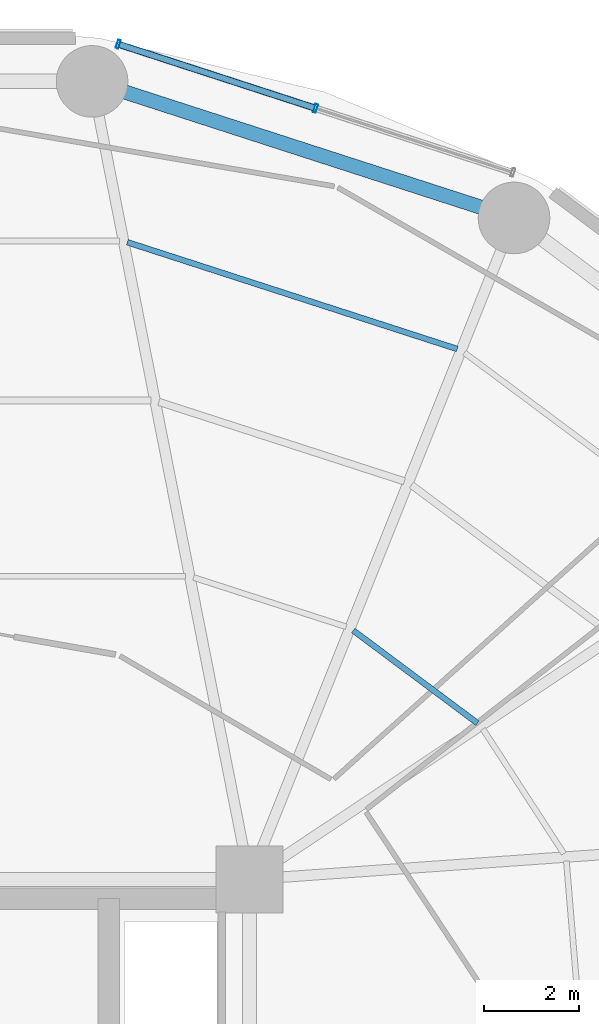
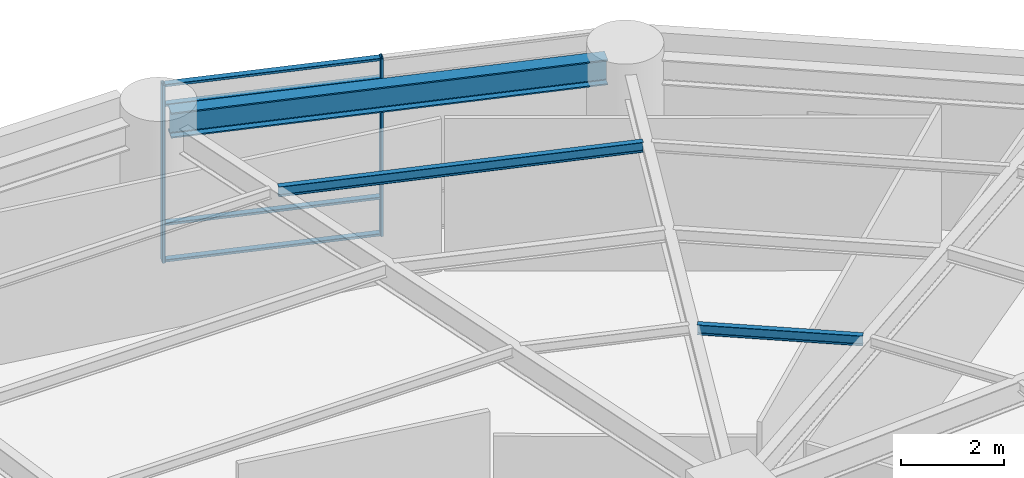
# One storey, part 29 of 46: 6 members, 3 beams, 1 element without a shape of its own.
"""IFC4 building model written with IfcOpenShell, lengths in metres."""

from ifc_helpers import new_model, si_unit, direction, frame, origin, origin_2d, place, context, subcontext, project, spatial, hollow_rectangle, i_section, extrude, material, layer, layer_set, material_profile, profile_set, type_object, element, aggregate, save


model = new_model("IFC4")

# Units and contexts
model_context = context("Model", 3, precision=1e-05, world=origin(), true_north=direction((0.0, 1.0)))
body_context = subcontext(model_context, "Body", "Model", "MODEL_VIEW")
ifc_project = project(units=[si_unit("LENGTHUNIT", "METRE"), si_unit("AREAUNIT", "SQUARE_METRE"), si_unit("VOLUMEUNIT", "CUBIC_METRE"), si_unit("PLANEANGLEUNIT", "RADIAN"), si_unit("MASSUNIT", "GRAM", prefix="KILO")], contexts=[model_context])

# Site, building, storey
site_placement = place(None, origin())
site = spatial("IfcSite", under=ifc_project, at=site_placement, CompositionType="ELEMENT")
building_placement = place(site_placement, origin())
building = spatial("IfcBuilding", under=site, at=building_placement, Name="Kelanora Arch Commons", CompositionType="ELEMENT")
storey_placement = place(building_placement, frame((0.0, 0.0, 18.0)))
storey = spatial("IfcBuildingStorey", under=building, at=storey_placement, Name="L04", CompositionType="ELEMENT", Elevation=18.0)

# Beams
ifc_material_1 = material(Name="Steel S355", Category="steel")
ifc_material_profile_1 = material_profile(ifc_material_1, i_section(OverallWidth=0.1201171875, OverallDepth=0.239990234375, WebThickness=0.006103515625, FlangeThickness=0.009765625, FilletRadius=0.014892578125, at=origin_2d()), Name="IPE240")
ifc_profile_set_1 = profile_set([ifc_material_profile_1], Name="Steel S355")
beam_type_1 = type_object("IfcBeamType", Name="BM-JST-02", PredefinedType="JOIST", material=ifc_profile_set_1)
beam_1_placement = place(storey_placement, frame((86.77490234375, 68.272705078125, 4.1201171875), z_axis=(-0.801513822608, 0.59797624716, 0.0), x_axis=(-0.59797624716, -0.801513822608, 0.0)))
element("IfcBeam", 1, at=beam_1_placement, inside=storey, type_object=beam_type_1, Name="Secondary Chord Joist BJA-04 L04", PredefinedType="JOIST", context=body_context, shape_type="SweptSolid", body=[
    extrude(i_section(OverallWidth=0.1201171875, OverallDepth=0.239990234375, WebThickness=0.006103515625, FlangeThickness=0.009765625, FilletRadius=0.014892578125, at=origin_2d()), origin(), (0.0, 0.0, 1.0), 3.245849609375),
])
beam_2_placement = place(storey_placement, frame((86.35107421875, 76.109375, 4.1201171875), z_axis=(-0.951410915705, 0.307924129418, 0.0), x_axis=(-0.307924129418, -0.951410915705, 0.0)))
element("IfcBeam", 2, at=beam_2_placement, inside=storey, type_object=beam_type_1, Name="Secondary Chord Joist BJC-06 L04", PredefinedType="JOIST", context=body_context, shape_type="SweptSolid", body=[
    extrude(i_section(OverallWidth=0.1201171875, OverallDepth=0.239990234375, WebThickness=0.006103515625, FlangeThickness=0.009765625, FilletRadius=0.014892578125, at=origin_2d()), origin(), (0.0, 0.0, 1.0), 7.260986328125),
])
ifc_material_profile_2 = material_profile(ifc_material_1, i_section(OverallWidth=0.300048828125, OverallDepth=0.60009765625, WebThickness=0.015380859375, FlangeThickness=0.030029296875, FilletRadius=0.027099609375, at=origin_2d()), Name="HEB600")
ifc_profile_set_2 = profile_set([ifc_material_profile_2], Name="Steel S355")
beam_type_2 = type_object("IfcBeamType", Name="BM-SPN-Z1", PredefinedType="SPANDREL", material=ifc_profile_set_2)
beam_3_placement = place(storey_placement, frame((87.178466796875, 78.970947265625, 3.93994140625), z_axis=(-0.951411839042, 0.307921276515, 0.0), x_axis=(-0.307921276515, -0.951411839042, 0.0)))
element("IfcBeam", 3, at=beam_3_placement, inside=storey, type_object=beam_type_2, Name="Perimeter Spandrel Beam BS-06 L04", PredefinedType="SPANDREL", context=body_context, shape_type="SweptSolid", body=[
    extrude(i_section(OverallWidth=0.300048828125, OverallDepth=0.60009765625, WebThickness=0.015380859375, FlangeThickness=0.030029296875, FilletRadius=0.027099609375, at=origin_2d()), origin(), (0.0, 0.0, 1.0), 8.68896484375),
])

# Curtain wall, members
ifc_material_2 = material(Name="Terracotta ceramic-fritted low-E glass and aluminium", Category="masonry")
ifc_layer = layer(ifc_material_2, 0.2099609375)
ifc_layer_set = layer_set([ifc_layer], Name="Terracotta ceramic-fritted low-E glass and aluminium")
curtain_wall_type = type_object("IfcCurtainWallType", Name="CW-SYS-04", PredefinedType="NOTDEFINED", material=ifc_layer_set)
curtain_wall_placement = place(storey_placement, origin())
curtain_wall = element("IfcCurtainWall", 4, at=curtain_wall_placement, inside=storey, type_object=curtain_wall_type, Name="Unitised Curtain Wall L04-B03", PredefinedType="NOTDEFINED")
ifc_material_3 = material(Name="Powder-coated aluminium terracotta", Category="masonry")
ifc_material_profile_3 = material_profile(ifc_material_3, hollow_rectangle(XDim=0.179931640625, YDim=0.06005859375, WallThickness=0.0048828125, InnerFilletRadius=0.0048828125, OuterFilletRadius=0.010009765625, at=origin_2d()), Name="CWM180x60")
ifc_profile_set_3 = profile_set([ifc_material_profile_3], Name="Powder-coated aluminium terracotta")
member_type_1 = type_object("IfcMemberType", Name="CWM-HVY", PredefinedType="MULLION", material=ifc_profile_set_3)
member_1_placement = place(storey_placement, frame((83.38330078125, 81.15087890625, 0.0), z_axis=(0.0, 0.0, 1.0), x_axis=(-0.309069531911, -0.951039444211, 0.0)))
member_1 = element("IfcMember", 5, at=member_1_placement, type_object=member_type_1, Name="CW-04 mullion 2", PredefinedType="MULLION", context=body_context, shape_type="SweptSolid", body=[
    extrude(hollow_rectangle(XDim=0.179931640625, YDim=0.06005859375, WallThickness=0.0048828125, InnerFilletRadius=0.0048828125, OuterFilletRadius=0.010009765625, at=origin_2d()), origin(), (0.0, 0.0, 1.0), 4.22509765625),
])
member_2_placement = place(storey_placement, frame((79.25146484375, 82.49365234375, 0.0), z_axis=(0.0, 0.0, 1.0), x_axis=(-0.309069531911, -0.951039444211, 0.0)))
member_2 = element("IfcMember", 6, at=member_2_placement, type_object=member_type_1, Name="CW-04 mullion 3", PredefinedType="MULLION", context=body_context, shape_type="SweptSolid", body=[
    extrude(hollow_rectangle(XDim=0.179931640625, YDim=0.06005859375, WallThickness=0.0048828125, InnerFilletRadius=0.0048828125, OuterFilletRadius=0.010009765625, at=origin_2d()), origin(), (0.0, 0.0, 1.0), 4.22509765625),
])
ifc_material_profile_4 = material_profile(ifc_material_3, hollow_rectangle(XDim=0.139892578125, YDim=0.06005859375, WallThickness=0.0048828125, InnerFilletRadius=0.0048828125, OuterFilletRadius=0.010009765625, at=origin_2d()), Name="CWT140x60")
ifc_profile_set_4 = profile_set([ifc_material_profile_4], Name="Powder-coated aluminium terracotta")
member_type_2 = type_object("IfcMemberType", Name="CWT-HVY", PredefinedType="USERDEFINED", material=ifc_profile_set_4)
member_3_placement = place(storey_placement, frame((83.354736328125, 81.16015625, 0.030029296875), z_axis=(-0.951038256166, 0.309073187624, 0.0), x_axis=(-0.309073187624, -0.951038256166, 0.0)))
member_3 = element("IfcMember", 7, at=member_3_placement, type_object=member_type_2, Name="CW-04 transom 2.1", ObjectType="TRANSOM", PredefinedType="USERDEFINED", context=body_context, shape_type="SweptSolid", body=[
    extrude(hollow_rectangle(XDim=0.139892578125, YDim=0.06005859375, WallThickness=0.0048828125, InnerFilletRadius=0.0048828125, OuterFilletRadius=0.010009765625, at=origin_2d()), origin(), (0.0, 0.0, 1.0), 4.284423828125),
])
member_4_placement = place(storey_placement, frame((83.354736328125, 81.16015625, 0.89990234375), z_axis=(-0.951038256166, 0.309073187624, 0.0), x_axis=(-0.309073187624, -0.951038256166, 0.0)))
member_4 = element("IfcMember", 8, at=member_4_placement, type_object=member_type_2, Name="CW-04 transom 2.2", ObjectType="TRANSOM", PredefinedType="USERDEFINED", context=body_context, shape_type="SweptSolid", body=[
    extrude(hollow_rectangle(XDim=0.139892578125, YDim=0.06005859375, WallThickness=0.0048828125, InnerFilletRadius=0.0048828125, OuterFilletRadius=0.010009765625, at=origin_2d()), origin(), (0.0, 0.0, 1.0), 4.284423828125),
])
member_5_placement = place(storey_placement, frame((83.354736328125, 81.16015625, 3.72509765625), z_axis=(-0.951038256166, 0.309073187624, 0.0), x_axis=(-0.309073187624, -0.951038256166, 0.0)))
member_5 = element("IfcMember", 9, at=member_5_placement, type_object=member_type_2, Name="CW-04 transom 2.3", ObjectType="TRANSOM", PredefinedType="USERDEFINED", context=body_context, shape_type="SweptSolid", body=[
    extrude(hollow_rectangle(XDim=0.139892578125, YDim=0.06005859375, WallThickness=0.0048828125, InnerFilletRadius=0.0048828125, OuterFilletRadius=0.010009765625, at=origin_2d()), origin(), (0.0, 0.0, 1.0), 4.284423828125),
])
member_6_placement = place(storey_placement, frame((83.354736328125, 81.16015625, 4.195068359375), z_axis=(-0.951038256166, 0.309073187624, 0.0), x_axis=(-0.309073187624, -0.951038256166, 0.0)))
member_6 = element("IfcMember", 10, at=member_6_placement, type_object=member_type_2, Name="CW-04 transom 2.4", ObjectType="TRANSOM", PredefinedType="USERDEFINED", context=body_context, shape_type="SweptSolid", body=[
    extrude(hollow_rectangle(XDim=0.139892578125, YDim=0.06005859375, WallThickness=0.0048828125, InnerFilletRadius=0.0048828125, OuterFilletRadius=0.010009765625, at=origin_2d()), origin(), (0.0, 0.0, 1.0), 4.284423828125),
])
aggregate(curtain_wall, [member_1, member_2, member_3, member_4, member_5, member_6])

save(model, "model.ifc")
